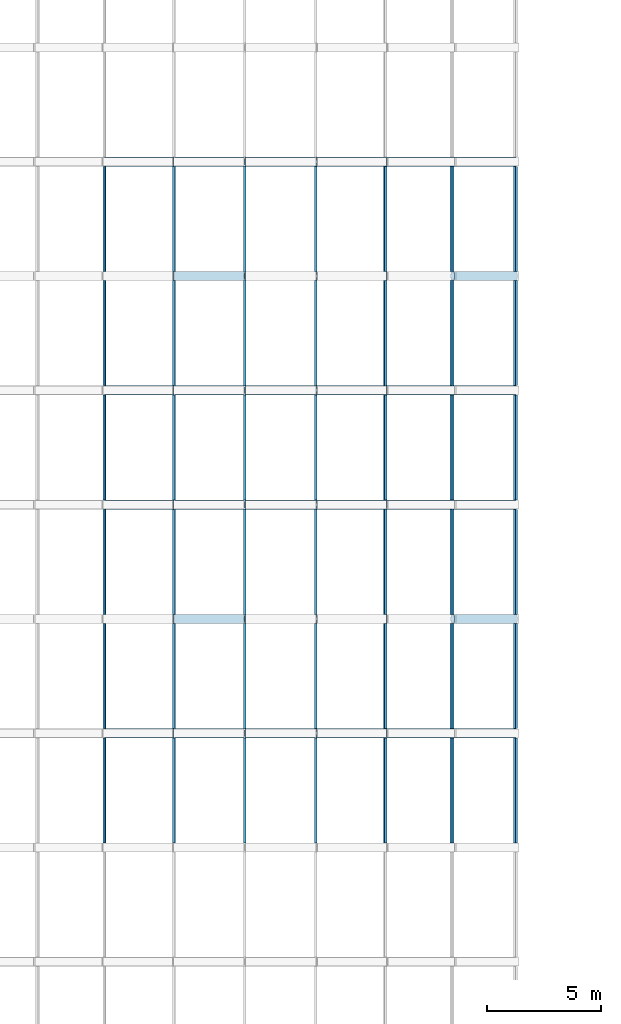
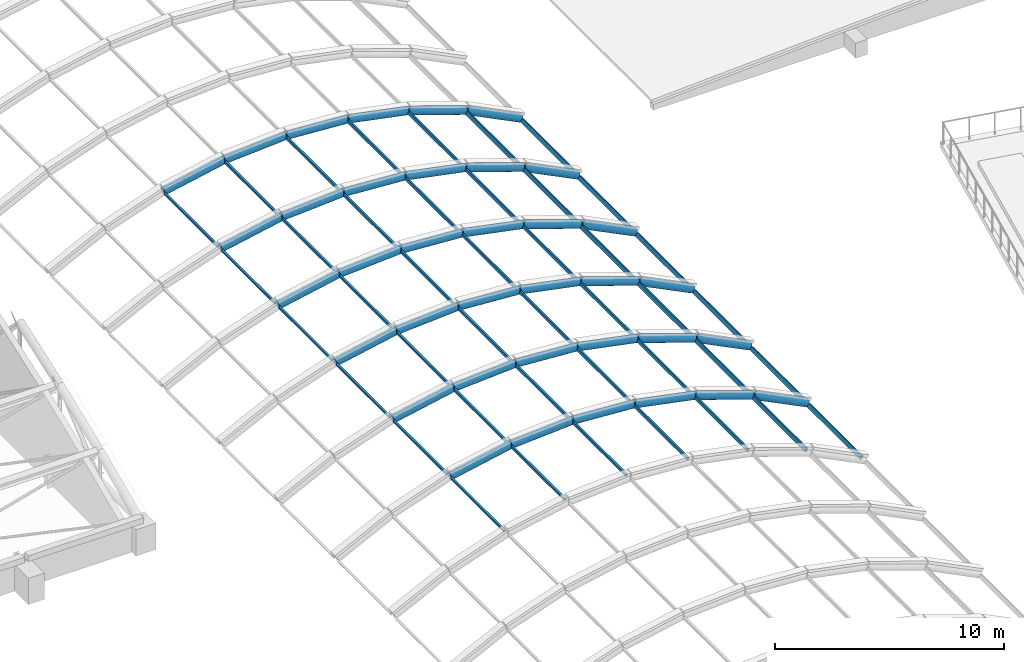
# One storey, part 49 of 196: 78 members.
"""IFC4 building model written with IfcOpenShell, lengths in metres."""

from ifc_helpers import new_model, si_unit, direction, frame, origin, origin_2d, place, context, subcontext, project, spatial, hollow_rectangle, hollow_circle, extrude, material, material_profile, profile_set, type_object, element, save


model = new_model("IFC4")

# Units and contexts
model_context = context("Model", 3, precision=1e-05, world=origin(), true_north=direction((0.0, 1.0)))
body_context = subcontext(model_context, "Body", "Model", "MODEL_VIEW")
ifc_project = project(units=[si_unit("LENGTHUNIT", "METRE"), si_unit("AREAUNIT", "SQUARE_METRE"), si_unit("VOLUMEUNIT", "CUBIC_METRE"), si_unit("PLANEANGLEUNIT", "RADIAN"), si_unit("MASSUNIT", "GRAM", prefix="KILO")], contexts=[model_context])

# Site, building, storey
site_placement = place(None, origin())
site = spatial("IfcSite", under=ifc_project, at=site_placement, CompositionType="ELEMENT")
building_placement = place(site_placement, origin())
building = spatial("IfcBuilding", under=site, at=building_placement, Name="Okhra Congress Centre", CompositionType="ELEMENT")
storey_placement = place(building_placement, frame((0.0, 0.0, 12.0)))
storey = spatial("IfcBuildingStorey", under=building, at=storey_placement, Name="L02", CompositionType="ELEMENT", Elevation=12.0)

# Members
ifc_material = material(Name="Steel S355J2", Category="steel")
ifc_material_profile_1 = material_profile(ifc_material, hollow_rectangle(XDim=0.10009765625, YDim=0.14990234375, WallThickness=0.00634765625, at=origin_2d()), Name="RHS 150x100x6.3")
ifc_profile_set_1 = profile_set([ifc_material_profile_1], Name="Steel S355J2")
member_type_1 = type_object("IfcMemberType", Name="Steel purlin RHS 150x100x6.3", PredefinedType="PURLIN", material=ifc_profile_set_1)
for number, where, z_axis, x_axis, name in (
    (1, (166.109619140625, 121.203125, 3.18505859375), (0.0, 1.0, 0.0), (-0.965379940391, 0.0, -0.260847792191), "Vault purlin 10.4"),
    (2, (169.15283203125, 121.203125, 3.79541015625), (0.0, 1.0, 0.0), (-0.991307202734, 0.0, -0.131567586459), "Vault purlin 10.5"),
    (3, (172.25, 121.203125, 4.0), (0.0, 1.0, 0.0), (-1.0, 0.0, 0.0), "Vault purlin 10.6"),
    (4, (175.34716796875, 121.203125, 3.79541015625), (0.0, 1.0, 0.0), (-0.991307202734, 0.0, 0.131567586459), "Vault purlin 10.7"),
    (5, (178.390380859375, 121.203125, 3.18505859375), (0.0, 1.0, 0.0), (-0.965379940391, 0.0, 0.260847792191), "Vault purlin 10.8"),
    (6, (166.109619140625, 126.203125, 3.18505859375), (0.0, 1.0, 0.0), (-0.965379940391, 0.0, -0.260847792191), "Vault purlin 11.4"),
    (7, (169.15283203125, 126.203125, 3.79541015625), (0.0, 1.0, 0.0), (-0.991307202734, 0.0, -0.131567586459), "Vault purlin 11.5"),
    (8, (172.25, 126.203125, 4.0), (0.0, 1.0, 0.0), (-1.0, 0.0, 0.0), "Vault purlin 11.6"),
    (9, (175.34716796875, 126.203125, 3.79541015625), (0.0, 1.0, 0.0), (-0.991307202734, 0.0, 0.131567586459), "Vault purlin 11.7"),
    (10, (178.390380859375, 126.203125, 3.18505859375), (0.0, 1.0, 0.0), (-0.965379940391, 0.0, 0.260847792191), "Vault purlin 11.8"),
    (11, (166.109619140625, 131.203125, 3.18505859375), (0.0, 1.0, 0.0), (-0.965379940391, 0.0, -0.260847792191), "Vault purlin 12.4"),
    (12, (169.15283203125, 131.203125, 3.79541015625), (0.0, 1.0, 0.0), (-0.991307202734, 0.0, -0.131567586459), "Vault purlin 12.5"),
    (13, (172.25, 131.203125, 4.0), (0.0, 1.0, 0.0), (-1.0, 0.0, 0.0), "Vault purlin 12.6"),
    (14, (175.34716796875, 131.203125, 3.79541015625), (0.0, 1.0, 0.0), (-0.991307202734, 0.0, 0.131567586459), "Vault purlin 12.7"),
    (15, (178.390380859375, 131.203125, 3.18505859375), (0.0, 1.0, 0.0), (-0.965379940391, 0.0, 0.260847792191), "Vault purlin 12.8"),
    (16, (166.109619140625, 136.203125, 3.18505859375), (0.0, 1.0, 0.0), (-0.965379940391, 0.0, -0.260847792191), "Vault purlin 13.4"),
    (17, (169.15283203125, 136.203125, 3.79541015625), (0.0, 1.0, 0.0), (-0.991307202734, 0.0, -0.131567586459), "Vault purlin 13.5"),
    (18, (172.25, 136.203125, 4.0), (0.0, 1.0, 0.0), (-1.0, 0.0, 0.0), "Vault purlin 13.6"),
    (19, (175.34716796875, 136.203125, 3.79541015625), (0.0, 1.0, 0.0), (-0.991307202734, 0.0, 0.131567586459), "Vault purlin 13.7"),
    (20, (178.390380859375, 136.203125, 3.18505859375), (0.0, 1.0, 0.0), (-0.965379940391, 0.0, 0.260847792191), "Vault purlin 13.8"),
    (21, (166.109619140625, 141.203125, 3.18505859375), (0.0, 1.0, 0.0), (-0.965379940391, 0.0, -0.260847792191), "Vault purlin 14.4"),
    (22, (169.15283203125, 141.203125, 3.79541015625), (0.0, 1.0, 0.0), (-0.991307202734, 0.0, -0.131567586459), "Vault purlin 14.5"),
    (23, (172.25, 141.203125, 4.0), (0.0, 1.0, 0.0), (-1.0, 0.0, 0.0), "Vault purlin 14.6"),
    (24, (175.34716796875, 141.203125, 3.79541015625), (0.0, 1.0, 0.0), (-0.991307202734, 0.0, 0.131567586459), "Vault purlin 14.7"),
    (25, (178.390380859375, 141.203125, 3.18505859375), (0.0, 1.0, 0.0), (-0.965379940391, 0.0, 0.260847792191), "Vault purlin 14.8"),
    (26, (166.109619140625, 146.203125, 3.18505859375), (0.0, 1.0, 0.0), (-0.965379940391, 0.0, -0.260847792191), "Vault purlin 15.4"),
    (27, (169.15283203125, 146.203125, 3.79541015625), (0.0, 1.0, 0.0), (-0.991307202734, 0.0, -0.131567586459), "Vault purlin 15.5"),
    (28, (172.25, 146.203125, 4.0), (0.0, 1.0, 0.0), (-1.0, 0.0, 0.0), "Vault purlin 15.6"),
    (29, (175.34716796875, 146.203125, 3.79541015625), (0.0, 1.0, 0.0), (-0.991307202734, 0.0, 0.131567586459), "Vault purlin 15.7"),
    (30, (178.390380859375, 146.203125, 3.18505859375), (0.0, 1.0, 0.0), (-0.965379940391, 0.0, 0.260847792191), "Vault purlin 15.8"),
):
    element("IfcMember", number, at=place(storey_placement, frame(where, z_axis=z_axis, x_axis=x_axis)), inside=storey, type_object=member_type_1, Name=name, PredefinedType="PURLIN", context=body_context, shape_type="SweptSolid", body=[
        extrude(hollow_rectangle(XDim=0.10009765625, YDim=0.14990234375, WallThickness=0.00634765625, at=origin_2d()), origin(), (0.0, 0.0, 1.0), 4.59375),
    ])
ifc_material_profile_2 = material_profile(ifc_material, hollow_rectangle(XDim=0.10009765625, YDim=0.199951171875, WallThickness=0.008056640625, at=origin_2d()), Name="RHS 200x100x8")
ifc_profile_set_2 = profile_set([ifc_material_profile_2], Name="Steel S355J2")
member_type_2 = type_object("IfcMemberType", Name="Steel purlin RHS 200x100x8", PredefinedType="PURLIN", material=ifc_profile_set_2)
for number, where, z_axis, x_axis, name in (
    (31, (181.3173828125, 121.203125, 2.156494140625), (0.0, 1.0, 0.0), (-0.922668973833, 0.0, 0.38559300399), "Vault purlin 10.9"),
    (32, (184.093017578125, 121.203125, 0.77490234375), (0.0, 1.0, 0.0), (-0.86391685861, 0.0, 0.503634452167), "Vault purlin 10.10"),
    (33, (181.3173828125, 126.203125, 2.156494140625), (0.0, 1.0, 0.0), (-0.922668973833, 0.0, 0.38559300399), "Vault purlin 11.9"),
    (34, (184.093017578125, 126.203125, 0.77490234375), (0.0, 1.0, 0.0), (-0.86391685861, 0.0, 0.503634452167), "Vault purlin 11.10"),
    (35, (181.3173828125, 131.203125, 2.156494140625), (0.0, 1.0, 0.0), (-0.922668973833, 0.0, 0.38559300399), "Vault purlin 12.9"),
    (36, (184.093017578125, 131.203125, 0.77490234375), (0.0, 1.0, 0.0), (-0.86391685861, 0.0, 0.503634452167), "Vault purlin 12.10"),
    (37, (181.3173828125, 136.203125, 2.156494140625), (0.0, 1.0, 0.0), (-0.922668973833, 0.0, 0.38559300399), "Vault purlin 13.9"),
    (38, (184.093017578125, 136.203125, 0.77490234375), (0.0, 1.0, 0.0), (-0.86391685861, 0.0, 0.503634452167), "Vault purlin 13.10"),
    (39, (181.3173828125, 141.203125, 2.156494140625), (0.0, 1.0, 0.0), (-0.922668973833, 0.0, 0.38559300399), "Vault purlin 14.9"),
    (40, (184.093017578125, 141.203125, 0.77490234375), (0.0, 1.0, 0.0), (-0.86391685861, 0.0, 0.503634452167), "Vault purlin 14.10"),
    (41, (181.3173828125, 146.203125, 2.156494140625), (0.0, 1.0, 0.0), (-0.922668973833, 0.0, 0.38559300399), "Vault purlin 15.9"),
    (42, (184.093017578125, 146.203125, 0.77490234375), (0.0, 1.0, 0.0), (-0.86391685861, 0.0, 0.503634452167), "Vault purlin 15.10"),
):
    element("IfcMember", number, at=place(storey_placement, frame(where, z_axis=z_axis, x_axis=x_axis)), inside=storey, type_object=member_type_2, Name=name, PredefinedType="PURLIN", context=body_context, shape_type="SweptSolid", body=[
        extrude(hollow_rectangle(XDim=0.10009765625, YDim=0.199951171875, WallThickness=0.008056640625, at=origin_2d()), origin(), (0.0, 0.0, 1.0), 4.59375),
    ])
ifc_material_profile_3 = material_profile(ifc_material, hollow_circle(Radius=0.203125, WallThickness=0.01611328125, at=origin_2d()), Name="CHS 406.4x16")
ifc_profile_set_3 = profile_set([ifc_material_profile_3], Name="Steel S355J2")
member_type_3 = type_object("IfcMemberType", Name="Tubular steel arch rib CHS 406x16", PredefinedType="USERDEFINED", material=ifc_profile_set_3)
for number, where, z_axis, x_axis, name in (
    (43, (166.122802734375, 126.0, 3.187744140625), (0.980479837883, 0.0, 0.196619651879), (0.0, 1.0, 0.0), "Arch rib 11.5"),
    (44, (169.166259765625, 126.0, 3.796142578125), (0.997823956231, 0.0, 0.065934455123), (0.0, 1.0, 0.0), "Arch rib 11.6"),
    (45, (172.263427734375, 126.0, 3.9990234375), (0.997823956231, 0.0, -0.065934455123), (0.0, 1.0, 0.0), "Arch rib 11.7"),
    (46, (175.3603515625, 126.0, 3.792724609375), (0.980479837883, 0.0, -0.196619651879), (0.0, 1.0, 0.0), "Arch rib 11.8"),
):
    element("IfcMember", number, at=place(storey_placement, frame(where, z_axis=z_axis, x_axis=x_axis)), inside=storey, type_object=member_type_3, Name=name, ObjectType="Arch rib", PredefinedType="USERDEFINED", context=body_context, shape_type="SweptSolid", body=[
        extrude(hollow_circle(Radius=0.203125, WallThickness=0.01611328125, at=origin_2d()), origin(), (0.0, 0.0, 1.0), 3.076904296875),
    ])
for number, where, z_axis, x_axis, name in (
    (47, (178.4033203125, 126.0, 3.1806640625), (0.946089135599, 0.0, -0.323906386942), (0.0, 1.0, 0.0), "Arch rib 11.9"),
    (48, (181.339111328125, 126.0, 2.173583984375), (0.895219276519, 0.0, -0.44562590471), (0.0, 1.0, 0.0), "Arch rib 11.10"),
):
    element("IfcMember", number, at=place(storey_placement, frame(where, z_axis=z_axis, x_axis=x_axis)), inside=storey, type_object=member_type_3, Name=name, ObjectType="Arch rib", PredefinedType="USERDEFINED", context=body_context, shape_type="SweptSolid", body=[
        extrude(hollow_circle(Radius=0.203125, WallThickness=0.01611328125, at=origin_2d()), origin(), (0.0, 0.0, 1.0), 3.07666015625),
    ])
for number, where, z_axis, x_axis, name in (
    (49, (166.122802734375, 131.0, 3.187744140625), (0.980479837883, 0.0, 0.196619651879), (0.0, 1.0, 0.0), "Arch rib 12.5"),
    (50, (169.166259765625, 131.0, 3.796142578125), (0.997823956231, 0.0, 0.065934455123), (0.0, 1.0, 0.0), "Arch rib 12.6"),
    (51, (172.263427734375, 131.0, 3.9990234375), (0.997823956231, 0.0, -0.065934455123), (0.0, 1.0, 0.0), "Arch rib 12.7"),
    (52, (175.3603515625, 131.0, 3.792724609375), (0.980479837883, 0.0, -0.196619651879), (0.0, 1.0, 0.0), "Arch rib 12.8"),
):
    element("IfcMember", number, at=place(storey_placement, frame(where, z_axis=z_axis, x_axis=x_axis)), inside=storey, type_object=member_type_3, Name=name, ObjectType="Arch rib", PredefinedType="USERDEFINED", context=body_context, shape_type="SweptSolid", body=[
        extrude(hollow_circle(Radius=0.203125, WallThickness=0.01611328125, at=origin_2d()), origin(), (0.0, 0.0, 1.0), 3.076904296875),
    ])
for number, where, z_axis, x_axis, name in (
    (53, (178.4033203125, 131.0, 3.1806640625), (0.946089135599, 0.0, -0.323906386942), (0.0, 1.0, 0.0), "Arch rib 12.9"),
    (54, (181.339111328125, 131.0, 2.173583984375), (0.895219276519, 0.0, -0.44562590471), (0.0, 1.0, 0.0), "Arch rib 12.10"),
):
    element("IfcMember", number, at=place(storey_placement, frame(where, z_axis=z_axis, x_axis=x_axis)), inside=storey, type_object=member_type_3, Name=name, ObjectType="Arch rib", PredefinedType="USERDEFINED", context=body_context, shape_type="SweptSolid", body=[
        extrude(hollow_circle(Radius=0.203125, WallThickness=0.01611328125, at=origin_2d()), origin(), (0.0, 0.0, 1.0), 3.07666015625),
    ])
for number, where, z_axis, x_axis, name in (
    (55, (166.122802734375, 136.0, 3.187744140625), (0.980479837883, 0.0, 0.196619651879), (0.0, 1.0, 0.0), "Arch rib 13.5"),
    (56, (169.166259765625, 136.0, 3.796142578125), (0.997823956231, 0.0, 0.065934455123), (0.0, 1.0, 0.0), "Arch rib 13.6"),
    (57, (172.263427734375, 136.0, 3.9990234375), (0.997823956231, 0.0, -0.065934455123), (0.0, 1.0, 0.0), "Arch rib 13.7"),
    (58, (175.3603515625, 136.0, 3.792724609375), (0.980479837883, 0.0, -0.196619651879), (0.0, 1.0, 0.0), "Arch rib 13.8"),
):
    element("IfcMember", number, at=place(storey_placement, frame(where, z_axis=z_axis, x_axis=x_axis)), inside=storey, type_object=member_type_3, Name=name, ObjectType="Arch rib", PredefinedType="USERDEFINED", context=body_context, shape_type="SweptSolid", body=[
        extrude(hollow_circle(Radius=0.203125, WallThickness=0.01611328125, at=origin_2d()), origin(), (0.0, 0.0, 1.0), 3.076904296875),
    ])
for number, where, z_axis, x_axis, name in (
    (59, (178.4033203125, 136.0, 3.1806640625), (0.946089135599, 0.0, -0.323906386942), (0.0, 1.0, 0.0), "Arch rib 13.9"),
    (60, (181.339111328125, 136.0, 2.173583984375), (0.895219276519, 0.0, -0.44562590471), (0.0, 1.0, 0.0), "Arch rib 13.10"),
):
    element("IfcMember", number, at=place(storey_placement, frame(where, z_axis=z_axis, x_axis=x_axis)), inside=storey, type_object=member_type_3, Name=name, ObjectType="Arch rib", PredefinedType="USERDEFINED", context=body_context, shape_type="SweptSolid", body=[
        extrude(hollow_circle(Radius=0.203125, WallThickness=0.01611328125, at=origin_2d()), origin(), (0.0, 0.0, 1.0), 3.07666015625),
    ])
for number, where, z_axis, x_axis, name in (
    (61, (166.122802734375, 141.0, 3.187744140625), (0.980479837883, 0.0, 0.196619651879), (0.0, 1.0, 0.0), "Arch rib 14.5"),
    (62, (169.166259765625, 141.0, 3.796142578125), (0.997823956231, 0.0, 0.065934455123), (0.0, 1.0, 0.0), "Arch rib 14.6"),
    (63, (172.263427734375, 141.0, 3.9990234375), (0.997823956231, 0.0, -0.065934455123), (0.0, 1.0, 0.0), "Arch rib 14.7"),
    (64, (175.3603515625, 141.0, 3.792724609375), (0.980479837883, 0.0, -0.196619651879), (0.0, 1.0, 0.0), "Arch rib 14.8"),
):
    element("IfcMember", number, at=place(storey_placement, frame(where, z_axis=z_axis, x_axis=x_axis)), inside=storey, type_object=member_type_3, Name=name, ObjectType="Arch rib", PredefinedType="USERDEFINED", context=body_context, shape_type="SweptSolid", body=[
        extrude(hollow_circle(Radius=0.203125, WallThickness=0.01611328125, at=origin_2d()), origin(), (0.0, 0.0, 1.0), 3.076904296875),
    ])
for number, where, z_axis, x_axis, name in (
    (65, (178.4033203125, 141.0, 3.1806640625), (0.946089135599, 0.0, -0.323906386942), (0.0, 1.0, 0.0), "Arch rib 14.9"),
    (66, (181.339111328125, 141.0, 2.173583984375), (0.895219276519, 0.0, -0.44562590471), (0.0, 1.0, 0.0), "Arch rib 14.10"),
):
    element("IfcMember", number, at=place(storey_placement, frame(where, z_axis=z_axis, x_axis=x_axis)), inside=storey, type_object=member_type_3, Name=name, ObjectType="Arch rib", PredefinedType="USERDEFINED", context=body_context, shape_type="SweptSolid", body=[
        extrude(hollow_circle(Radius=0.203125, WallThickness=0.01611328125, at=origin_2d()), origin(), (0.0, 0.0, 1.0), 3.07666015625),
    ])
for number, where, z_axis, x_axis, name in (
    (67, (166.122802734375, 146.0, 3.187744140625), (0.980479837883, 0.0, 0.196619651879), (0.0, 1.0, 0.0), "Arch rib 15.5"),
    (68, (169.166259765625, 146.0, 3.796142578125), (0.997823956231, 0.0, 0.065934455123), (0.0, 1.0, 0.0), "Arch rib 15.6"),
    (69, (172.263427734375, 146.0, 3.9990234375), (0.997823956231, 0.0, -0.065934455123), (0.0, 1.0, 0.0), "Arch rib 15.7"),
    (70, (175.3603515625, 146.0, 3.792724609375), (0.980479837883, 0.0, -0.196619651879), (0.0, 1.0, 0.0), "Arch rib 15.8"),
):
    element("IfcMember", number, at=place(storey_placement, frame(where, z_axis=z_axis, x_axis=x_axis)), inside=storey, type_object=member_type_3, Name=name, ObjectType="Arch rib", PredefinedType="USERDEFINED", context=body_context, shape_type="SweptSolid", body=[
        extrude(hollow_circle(Radius=0.203125, WallThickness=0.01611328125, at=origin_2d()), origin(), (0.0, 0.0, 1.0), 3.076904296875),
    ])
for number, where, z_axis, x_axis, name in (
    (71, (178.4033203125, 146.0, 3.1806640625), (0.946089135599, 0.0, -0.323906386942), (0.0, 1.0, 0.0), "Arch rib 15.9"),
    (72, (181.339111328125, 146.0, 2.173583984375), (0.895219276519, 0.0, -0.44562590471), (0.0, 1.0, 0.0), "Arch rib 15.10"),
):
    element("IfcMember", number, at=place(storey_placement, frame(where, z_axis=z_axis, x_axis=x_axis)), inside=storey, type_object=member_type_3, Name=name, ObjectType="Arch rib", PredefinedType="USERDEFINED", context=body_context, shape_type="SweptSolid", body=[
        extrude(hollow_circle(Radius=0.203125, WallThickness=0.01611328125, at=origin_2d()), origin(), (0.0, 0.0, 1.0), 3.07666015625),
    ])
for number, where, z_axis, x_axis, name in (
    (73, (166.122802734375, 151.0, 3.187744140625), (0.980479837883, 0.0, 0.196619651879), (0.0, 1.0, 0.0), "Arch rib 16.5"),
    (74, (169.166259765625, 151.0, 3.796142578125), (0.997823956231, 0.0, 0.065934455123), (0.0, 1.0, 0.0), "Arch rib 16.6"),
    (75, (172.263427734375, 151.0, 3.9990234375), (0.997823956231, 0.0, -0.065934455123), (0.0, 1.0, 0.0), "Arch rib 16.7"),
    (76, (175.3603515625, 151.0, 3.792724609375), (0.980479837883, 0.0, -0.196619651879), (0.0, 1.0, 0.0), "Arch rib 16.8"),
):
    element("IfcMember", number, at=place(storey_placement, frame(where, z_axis=z_axis, x_axis=x_axis)), inside=storey, type_object=member_type_3, Name=name, ObjectType="Arch rib", PredefinedType="USERDEFINED", context=body_context, shape_type="SweptSolid", body=[
        extrude(hollow_circle(Radius=0.203125, WallThickness=0.01611328125, at=origin_2d()), origin(), (0.0, 0.0, 1.0), 3.076904296875),
    ])
for number, where, z_axis, x_axis, name in (
    (77, (178.4033203125, 151.0, 3.1806640625), (0.946089135599, 0.0, -0.323906386942), (0.0, 1.0, 0.0), "Arch rib 16.9"),
    (78, (181.339111328125, 151.0, 2.173583984375), (0.895219276519, 0.0, -0.44562590471), (0.0, 1.0, 0.0), "Arch rib 16.10"),
):
    element("IfcMember", number, at=place(storey_placement, frame(where, z_axis=z_axis, x_axis=x_axis)), inside=storey, type_object=member_type_3, Name=name, ObjectType="Arch rib", PredefinedType="USERDEFINED", context=body_context, shape_type="SweptSolid", body=[
        extrude(hollow_circle(Radius=0.203125, WallThickness=0.01611328125, at=origin_2d()), origin(), (0.0, 0.0, 1.0), 3.07666015625),
    ])

save(model, "model.ifc")
